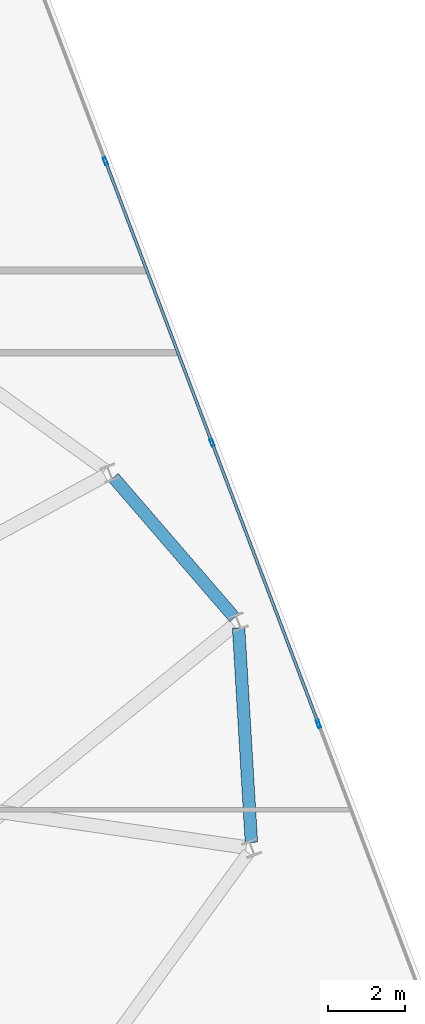
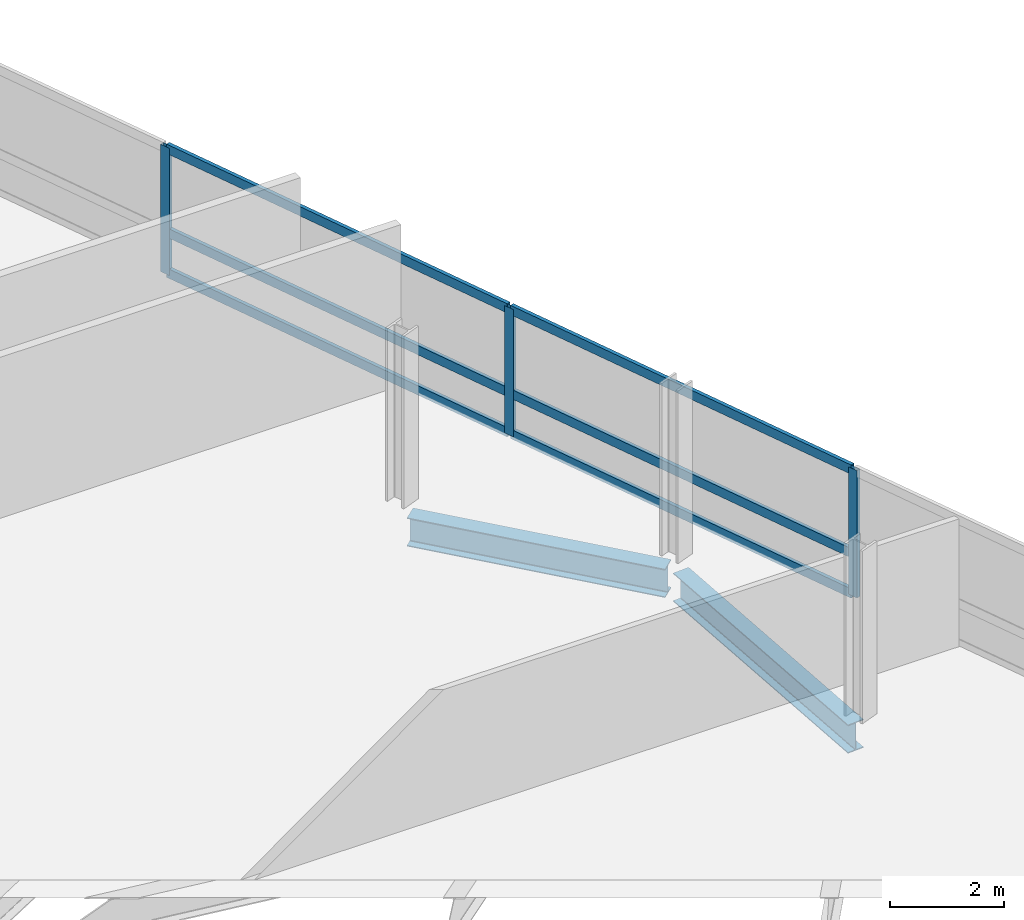
# One storey, part 12 of 20: 9 members, 2 beams, 1 element without a shape of its own.
"""IFC4 building model written with IfcOpenShell, lengths in metres."""

from ifc_helpers import new_model, si_unit, direction, frame, origin, origin_2d, place, context, subcontext, project, spatial, hollow_rectangle, i_section, extrude, material, layer, layer_set, material_profile, profile_set, type_object, element, aggregate, save


model = new_model("IFC4")

# Units and contexts
model_context = context("Model", 3, precision=1e-05, world=origin(), true_north=direction((0.0, 1.0)))
body_context = subcontext(model_context, "Body", "Model", "MODEL_VIEW")
ifc_project = project(units=[si_unit("LENGTHUNIT", "METRE"), si_unit("AREAUNIT", "SQUARE_METRE"), si_unit("VOLUMEUNIT", "CUBIC_METRE"), si_unit("PLANEANGLEUNIT", "RADIAN"), si_unit("MASSUNIT", "GRAM", prefix="KILO")], contexts=[model_context])

# Site, building, storey
site_placement = place(None, origin())
site = spatial("IfcSite", under=ifc_project, at=site_placement, CompositionType="ELEMENT")
building_placement = place(site_placement, origin())
building = spatial("IfcBuilding", under=site, at=building_placement, Name="Varnelok Gate Tower", CompositionType="ELEMENT")
storey_placement = place(building_placement, frame((0.0, 0.0, 223.800048828125)))
storey = spatial("IfcBuildingStorey", under=building, at=storey_placement, Name="L57", CompositionType="ELEMENT", Elevation=223.800048828125)

# Beams
ifc_material_1 = material(Name="Structural Steel ASTM A992 Grade 50", Category="steel")
ifc_material_profile_1 = material_profile(ifc_material_1, i_section(OverallWidth=0.323974609375, OverallDepth=0.611083984375, WebThickness=0.0126953125, FlangeThickness=0.01904296875, FilletRadius=0.01806640625, at=origin_2d()), Name="W24X104")
ifc_profile_set_1 = profile_set([ifc_material_profile_1], Name="Structural Steel ASTM A992 Grade 50")
beam_type = type_object("IfcBeamType", Name="BM-SPN-W24X104", PredefinedType="SPANDREL", material=ifc_profile_set_1)
beam_1_placement = place(storey_placement, frame((71.046142578125, 26.60302734375, -0.5556640625), z_axis=(-0.059494461707, 0.998228635647, 0.0), x_axis=(-0.998228635647, -0.059494461707, 0.0)))
element("IfcBeam", 1, at=beam_1_placement, inside=storey, type_object=beam_type, Name="L57 Perimeter Spandrel Beam 6", PredefinedType="SPANDREL", context=body_context, shape_type="SweptSolid", body=[
    extrude(i_section(OverallWidth=0.323974609375, OverallDepth=0.611083984375, WebThickness=0.0126953125, FlangeThickness=0.01904296875, FilletRadius=0.01806640625, at=origin_2d()), origin(), (0.0, 0.0, 1.0), 5.57666015625),
])
beam_2_placement = place(storey_placement, frame((70.607421875, 32.43310546875, -0.5556640625), z_axis=(-0.653480804386, 0.756943087886, 0.0), x_axis=(-0.756943087886, -0.653480804386, 0.0)))
element("IfcBeam", 2, at=beam_2_placement, inside=storey, type_object=beam_type, Name="L57 Perimeter Spandrel Beam 7", PredefinedType="SPANDREL", context=body_context, shape_type="SweptSolid", body=[
    extrude(i_section(OverallWidth=0.323974609375, OverallDepth=0.611083984375, WebThickness=0.0126953125, FlangeThickness=0.01904296875, FilletRadius=0.01806640625, at=origin_2d()), origin(), (0.0, 0.0, 1.0), 4.799560546875),
])

# Curtain wall, members
ifc_material_2 = material(Name="Anodized Aluminum Alloy 6063-T6", Category="aluminium")
ifc_layer = layer(ifc_material_2, 0.179931640625)
ifc_layer_set = layer_set([ifc_layer], Name="Anodized Aluminum Alloy 6063-T6")
curtain_wall_type = type_object("IfcCurtainWallType", Name="CW4-RESIDENCE-VISION", PredefinedType="USERDEFINED", material=ifc_layer_set)
curtain_wall_placement = place(storey_placement, origin())
curtain_wall = element("IfcCurtainWall", 3, at=curtain_wall_placement, inside=storey, type_object=curtain_wall_type, Name="L57 East End Vision Curtain Wall", ObjectType="UNITISED CURTAIN WALL", PredefinedType="USERDEFINED")
ifc_material_profile_2 = material_profile(ifc_material_2, hollow_rectangle(XDim=0.074951171875, YDim=0.199951171875, WallThickness=0.00390625, at=origin_2d()), Name="ALU200X75X4")
ifc_profile_set_2 = profile_set([ifc_material_profile_2], Name="Anodized Aluminum Alloy 6063-T6")
member_type_1 = type_object("IfcMemberType", Name="CW-MULL-200", PredefinedType="MULLION", material=ifc_profile_set_2)
member_1_placement = place(storey_placement, frame((67.26318359375, 44.2646484375, 0.0), z_axis=(0.0, 0.0, 1.0), x_axis=(0.935221557832, 0.354063042079, 0.0)))
member_1 = element("IfcMember", 4, at=member_1_placement, type_object=member_type_1, Name="CW4 mullion 2", PredefinedType="MULLION", context=body_context, shape_type="SweptSolid", body=[
    extrude(hollow_rectangle(XDim=0.074951171875, YDim=0.199951171875, WallThickness=0.00390625, at=origin_2d()), origin(), (0.0, 0.0, 1.0), 2.72998046875),
])
member_2_placement = place(storey_placement, frame((70.02490234375, 36.969970703125, 0.0), z_axis=(0.0, 0.0, 1.0), x_axis=(0.935221557832, 0.354063042079, 0.0)))
member_2 = element("IfcMember", 5, at=member_2_placement, type_object=member_type_1, Name="CW4 mullion 3", PredefinedType="MULLION", context=body_context, shape_type="SweptSolid", body=[
    extrude(hollow_rectangle(XDim=0.074951171875, YDim=0.199951171875, WallThickness=0.00390625, at=origin_2d()), origin(), (0.0, 0.0, 1.0), 2.72998046875),
])
member_3_placement = place(storey_placement, frame((72.78662109375, 29.675048828125, 0.0), z_axis=(0.0, 0.0, 1.0), x_axis=(0.935221557832, 0.354063042079, 0.0)))
member_3 = element("IfcMember", 6, at=member_3_placement, type_object=member_type_1, Name="CW4 mullion 4", PredefinedType="MULLION", context=body_context, shape_type="SweptSolid", body=[
    extrude(hollow_rectangle(XDim=0.074951171875, YDim=0.199951171875, WallThickness=0.00390625, at=origin_2d()), origin(), (0.0, 0.0, 1.0), 2.72998046875),
])
ifc_material_profile_3 = material_profile(ifc_material_2, hollow_rectangle(XDim=0.074951171875, YDim=0.199951171875, WallThickness=0.00390625, at=origin_2d()), Name="ALU200X75X4")
ifc_profile_set_3 = profile_set([ifc_material_profile_3], Name="Anodized Aluminum Alloy 6063-T6")
member_type_2 = type_object("IfcMemberType", Name="CW-TRAN-200", PredefinedType="USERDEFINED", material=ifc_profile_set_3)
member_4_placement = place(storey_placement, frame((67.2763671875, 44.2294921875, 0.037353515625), z_axis=(0.354086355793, -0.935212731223, 0.0), x_axis=(0.935212731223, 0.354086355793, 0.0)))
member_4 = element("IfcMember", 7, at=member_4_placement, type_object=member_type_2, Name="CW4 transom 2.1", ObjectType="TRANSOM", PredefinedType="USERDEFINED", context=body_context, shape_type="SweptSolid", body=[
    extrude(hollow_rectangle(XDim=0.074951171875, YDim=0.199951171875, WallThickness=0.00390625, at=origin_2d()), origin(), (0.0, 0.0, 1.0), 7.72509765625),
])
member_5_placement = place(storey_placement, frame((67.2763671875, 44.2294921875, 0.89990234375), z_axis=(0.354086355793, -0.935212731223, 0.0), x_axis=(0.935212731223, 0.354086355793, 0.0)))
member_5 = element("IfcMember", 8, at=member_5_placement, type_object=member_type_2, Name="CW4 transom 2.2", ObjectType="TRANSOM", PredefinedType="USERDEFINED", context=body_context, shape_type="SweptSolid", body=[
    extrude(hollow_rectangle(XDim=0.074951171875, YDim=0.199951171875, WallThickness=0.00390625, at=origin_2d()), origin(), (0.0, 0.0, 1.0), 7.72509765625),
])
member_6_placement = place(storey_placement, frame((67.2763671875, 44.2294921875, 2.6923828125), z_axis=(0.354086355793, -0.935212731223, 0.0), x_axis=(0.935212731223, 0.354086355793, 0.0)))
member_6 = element("IfcMember", 9, at=member_6_placement, type_object=member_type_2, Name="CW4 transom 2.3", ObjectType="TRANSOM", PredefinedType="USERDEFINED", context=body_context, shape_type="SweptSolid", body=[
    extrude(hollow_rectangle(XDim=0.074951171875, YDim=0.199951171875, WallThickness=0.00390625, at=origin_2d()), origin(), (0.0, 0.0, 1.0), 7.72509765625),
])
member_7_placement = place(storey_placement, frame((70.0380859375, 36.934814453125, 0.037353515625), z_axis=(0.354086355793, -0.935212731223, 0.0), x_axis=(0.935212731223, 0.354086355793, 0.0)))
member_7 = element("IfcMember", 10, at=member_7_placement, type_object=member_type_2, Name="CW4 transom 3.1", ObjectType="TRANSOM", PredefinedType="USERDEFINED", context=body_context, shape_type="SweptSolid", body=[
    extrude(hollow_rectangle(XDim=0.074951171875, YDim=0.199951171875, WallThickness=0.00390625, at=origin_2d()), origin(), (0.0, 0.0, 1.0), 7.72509765625),
])
member_8_placement = place(storey_placement, frame((70.0380859375, 36.934814453125, 0.89990234375), z_axis=(0.354086355793, -0.935212731223, 0.0), x_axis=(0.935212731223, 0.354086355793, 0.0)))
member_8 = element("IfcMember", 11, at=member_8_placement, type_object=member_type_2, Name="CW4 transom 3.2", ObjectType="TRANSOM", PredefinedType="USERDEFINED", context=body_context, shape_type="SweptSolid", body=[
    extrude(hollow_rectangle(XDim=0.074951171875, YDim=0.199951171875, WallThickness=0.00390625, at=origin_2d()), origin(), (0.0, 0.0, 1.0), 7.72509765625),
])
member_9_placement = place(storey_placement, frame((70.0380859375, 36.934814453125, 2.6923828125), z_axis=(0.354086355793, -0.935212731223, 0.0), x_axis=(0.935212731223, 0.354086355793, 0.0)))
member_9 = element("IfcMember", 12, at=member_9_placement, type_object=member_type_2, Name="CW4 transom 3.3", ObjectType="TRANSOM", PredefinedType="USERDEFINED", context=body_context, shape_type="SweptSolid", body=[
    extrude(hollow_rectangle(XDim=0.074951171875, YDim=0.199951171875, WallThickness=0.00390625, at=origin_2d()), origin(), (0.0, 0.0, 1.0), 7.72509765625),
])
aggregate(curtain_wall, [member_1, member_2, member_3, member_4, member_5, member_6, member_7, member_8, member_9])

save(model, "model.ifc")
